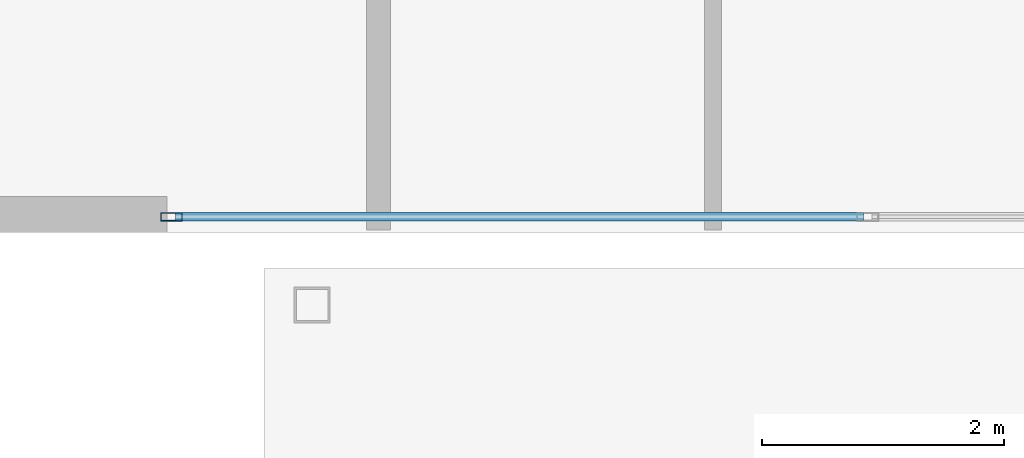
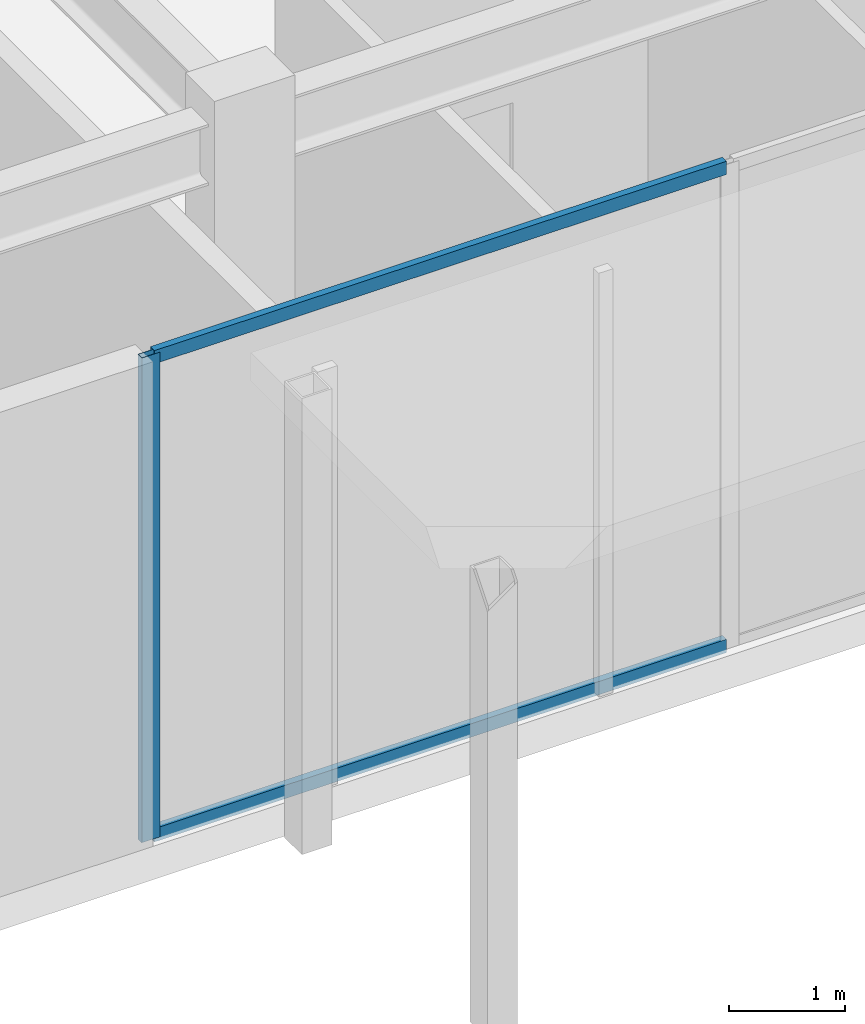
# One storey, part 10 of 28: 3 members, 1 element without a shape of its own.
"""IFC4 building model written with IfcOpenShell, lengths in metres."""

import ifcopenshell
import ifcopenshell.guid

model = None  # the IFC model being written
_history = None  # IfcOwnerHistory: only IFC2X3 demands one
_inside = {}  # id of a spatial element -> (the spatial element, [elements in it])
_under = {}  # id of a project, library or spatial element -> (it, [spatial elements below it])
_declared = {}  # id of a project -> (the project, [libraries it declares])
_typed = {}  # id of a type object -> (the type object, [elements of that type])
_made_of = {}  # id of a material, layer set ... -> (it, [elements and type objects made of it])


def new_model(schema):
    """Start an empty IFC model of exactly this schema.

    Asked for "IFC4X3", IfcOpenShell would pick the latest addendum, in which some entities
    have other attributes; the version numbers below select the first issue.
    IFC2X3 requires an IfcOwnerHistory on every rooted entity: one is made here for all.
    """
    global model, _history
    if schema == "IFC4X3":
        model = ifcopenshell.file(schema_version=(4, 3, 0, 0))
    else:
        model = ifcopenshell.file(schema=schema)
    _inside.clear()
    _under.clear()
    _declared.clear()
    _typed.clear()
    _made_of.clear()
    _history = None
    if model.schema == "IFC2X3":
        org = make("IfcOrganization", Name="unknown")
        user = make(
            "IfcPersonAndOrganization",
            ThePerson=make("IfcPerson", FamilyName="unknown"),
            TheOrganization=org,
        )
        app = make(
            "IfcApplication",
            ApplicationDeveloper=org,
            Version="unknown",
            ApplicationFullName="unknown",
            ApplicationIdentifier="unknown",
        )
        _history = make(
            "IfcOwnerHistory",
            OwningUser=user,
            OwningApplication=app,
            ChangeAction="ADDED",
            CreationDate=0,
        )
    return model


def make(cls, **values):
    """One entity of the class cls with the attributes given. An attribute that is None is left unset."""
    return model.create_entity(
        cls, **{name: value for name, value in values.items() if value is not None}
    )


def rooted(cls, **values):
    """An entity with a GlobalId (a new one), such as an element, a storey or a relation."""
    return make(cls, GlobalId=ifcopenshell.guid.new(), OwnerHistory=_history, **values)


def si_unit(unit_type, name, prefix=None):
    """IfcSIUnit, for example si_unit("LENGTHUNIT", "METRE", prefix="MILLI")."""
    return make("IfcSIUnit", UnitType=unit_type, Prefix=prefix, Name=name)


def assignment(units):
    """IfcUnitAssignment: the units of a project."""
    return None if units is None else make("IfcUnitAssignment", Units=units)


def point(xyz):
    """IfcCartesianPoint."""
    return None if xyz is None else make("IfcCartesianPoint", Coordinates=xyz)


def direction(xyz):
    """IfcDirection."""
    return None if xyz is None else make("IfcDirection", DirectionRatios=xyz)


def frame(location, z_axis=None, x_axis=None):
    """IfcAxis2Placement3D, a coordinate frame: its origin and axes. An axis left out is left unset."""
    return make(
        "IfcAxis2Placement3D",
        Location=point(location),
        Axis=direction(z_axis),
        RefDirection=direction(x_axis),
    )


def frame_2d(location, x_axis=None):
    """IfcAxis2Placement2D, a coordinate frame in the plane: its origin and x axis."""
    return make(
        "IfcAxis2Placement2D", Location=point(location), RefDirection=direction(x_axis)
    )


def origin():
    """The frame at (0, 0, 0) with its axes left unset."""
    return frame((0.0, 0.0, 0.0))


def origin_2d():
    """The frame at (0, 0) in the plane with its x axis left unset."""
    return frame_2d((0.0, 0.0))


def place(relative_to, where):
    """IfcLocalPlacement: puts the frame where relative to a parent placement (None: the world)."""
    return make(
        "IfcLocalPlacement", PlacementRelTo=relative_to, RelativePlacement=where
    )


def context(
    kind, dimensions, precision=None, world=None, true_north=None, identifier=None
):
    """IfcGeometricRepresentationContext, for example the 3D "Model" context."""
    return make(
        "IfcGeometricRepresentationContext",
        ContextIdentifier=identifier,
        ContextType=kind,
        CoordinateSpaceDimension=dimensions,
        Precision=precision,
        WorldCoordinateSystem=world,
        TrueNorth=true_north,
    )


def subcontext(parent, identifier, kind, view, scale=None):
    """IfcGeometricRepresentationSubContext, for example "Body" below "Model"."""
    return make(
        "IfcGeometricRepresentationSubContext",
        ContextIdentifier=identifier,
        ContextType=kind,
        ParentContext=parent,
        TargetScale=scale,
        TargetView=view,
    )


def project(units=None, contexts=None):
    """IfcProject with its units and contexts."""
    return rooted(
        "IfcProject",
        Name="project",
        RepresentationContexts=contexts,
        UnitsInContext=assignment(units),
    )


def spatial(cls, under=None, at=None, **own):
    """A site, building, storey or space (cls), placed at a placement, below another one or the project."""
    s = rooted(cls, ObjectPlacement=at, **own)
    if under is not None:
        _under.setdefault(under.id(), (under, []))[1].append(s)
    return s


def profile(cls, at=None, kind="AREA", **sizes):
    """A parametric profile (cls). Its sizes go by their IFC names, for example OverallWidth=200.0."""
    return make(cls, ProfileType=kind, Position=at, **sizes)


def hollow_rectangle(**sizes):
    """IfcRectangleHollowProfileDef."""
    return profile("IfcRectangleHollowProfileDef", **sizes)


def extrude(swept, where, along, depth):
    """IfcExtrudedAreaSolid: the profile swept, set in the frame where, extruded along a direction by depth."""
    return make(
        "IfcExtrudedAreaSolid",
        SweptArea=swept,
        Position=where,
        ExtrudedDirection=direction(along),
        Depth=depth,
    )


def shape(context_of_items, identifier, shape_type, items):
    """IfcShapeRepresentation: the items that make up one representation, for example the "Body"."""
    return make(
        "IfcShapeRepresentation",
        ContextOfItems=context_of_items,
        RepresentationIdentifier=identifier,
        RepresentationType=shape_type,
        Items=items,
    )


def source(mapping_origin, context_of_items, identifier, shape_type, items):
    """IfcRepresentationMap: a shape defined once, which mapped items show again and again."""
    return make(
        "IfcRepresentationMap",
        MappingOrigin=mapping_origin,
        MappedRepresentation=shape(context_of_items, identifier, shape_type, items),
    )


def transform(
    local_origin,
    x_axis=None,
    y_axis=None,
    z_axis=None,
    scale=None,
    scale2=None,
    scale3=None,
    uniform=True,
):
    """IfcCartesianTransformationOperator3D, or its non-uniform kind. x_axis, y_axis, z_axis: its Axis1, 2, 3."""
    if uniform:
        return make(
            "IfcCartesianTransformationOperator3D",
            Axis1=direction(x_axis),
            Axis2=direction(y_axis),
            LocalOrigin=point(local_origin),
            Scale=scale,
            Axis3=direction(z_axis),
        )
    return make(
        "IfcCartesianTransformationOperator3DnonUniform",
        Axis1=direction(x_axis),
        Axis2=direction(y_axis),
        LocalOrigin=point(local_origin),
        Scale=scale,
        Axis3=direction(z_axis),
        Scale2=scale2,
        Scale3=scale3,
    )


def mapped(mapping_source, mapping_target):
    """IfcMappedItem: shows the shape of a source again, moved by a transform."""
    return make(
        "IfcMappedItem", MappingSource=mapping_source, MappingTarget=mapping_target
    )


def material(Name=None, Category=None):
    """IfcMaterial."""
    return make("IfcMaterial", Name=Name, Category=Category)


def material_profile(
    of_material, cross_section, Name=None, Category=None, Priority=None
):
    """IfcMaterialProfile: a cross section and its material."""
    return make(
        "IfcMaterialProfile",
        Name=Name,
        Material=of_material,
        Profile=cross_section,
        Priority=Priority,
        Category=Category,
    )


def profile_set(profiles, Name=None, composite=None):
    """IfcMaterialProfileSet."""
    return make(
        "IfcMaterialProfileSet",
        Name=Name,
        MaterialProfiles=profiles,
        CompositeProfile=composite,
    )


def made_of(thing, what):
    """Note that an element or type object is made of a material, layer set ...; save() writes the relation."""
    if what is not None:
        _made_of.setdefault(what.id(), (what, []))[1].append(thing)
    return thing


def type_object(cls, material=None, **own):
    """A type object (cls), such as IfcWallType, which elements share."""
    return made_of(rooted(cls, **own), material)


def type_shapes(of_type, sources):
    """Give a type object the sources (RepresentationMaps) that its elements show as mapped items."""
    of_type.RepresentationMaps = sources


def element(
    cls,
    number,
    at=None,
    inside=None,
    cuts=None,
    type_object=None,
    material=None,
    context=None,
    identifier="Body",
    shape_type=None,
    held_by="IfcProductDefinitionShape",
    body=None,
    shapes=None,
    **own,
):
    """One element of the class cls, such as IfcWall. Its Tag is "e" and its number.

    at: its placement. inside: the storey or other place that contains it. cuts: it is an
    opening in that element (IfcRelVoidsElement). A single representation is given by context,
    identifier, shape_type and body (its items); several are given by shapes. held_by: the class
    of the entity that holds the representations. save() writes the other relations.
    """
    e = rooted(cls, Tag="e%d" % number, ObjectPlacement=at, **own)
    if body is not None:
        shapes = [shape(context, identifier, shape_type, body)]
    if shapes is not None:
        e.Representation = make(held_by, Representations=shapes)
    if inside is not None:
        _inside.setdefault(inside.id(), (inside, []))[1].append(e)
    if cuts is not None:
        rooted(
            "IfcRelVoidsElement", RelatingBuildingElement=cuts, RelatedOpeningElement=e
        )
    if type_object is not None:
        _typed.setdefault(type_object.id(), (type_object, []))[1].append(e)
    return made_of(e, material)


def aggregate(whole, parts):
    """IfcRelAggregates: a whole, such as a stair, and the parts it consists of."""
    return rooted("IfcRelAggregates", RelatingObject=whole, RelatedObjects=parts)


def save(model, path):
    """Write the relations noted so far, then the file.

    IfcRelAggregates (storeys below a building ...), IfcRelContainedInSpatialStructure (elements
    in a storey), IfcRelDefinesByType, IfcRelAssociatesMaterial and IfcRelDeclares: one each for
    every whole, place, type object, material and project.
    """
    for whole, parts in _under.values():
        aggregate(whole, parts)
    for where, things in _inside.values():
        rooted(
            "IfcRelContainedInSpatialStructure",
            RelatedElements=things,
            RelatingStructure=where,
        )
    for kind, things in _typed.values():
        rooted("IfcRelDefinesByType", RelatedObjects=things, RelatingType=kind)
    for what, things in _made_of.values():
        rooted("IfcRelAssociatesMaterial", RelatedObjects=things, RelatingMaterial=what)
    for by, libraries in _declared.values():
        rooted("IfcRelDeclares", RelatingContext=by, RelatedDefinitions=libraries)
    model.write(path)


model = new_model("IFC4")

# Units and contexts
model_context = context("Model", 3, precision=1e-05, world=origin(), true_north=direction((0.0, 1.0)))
body_context = subcontext(model_context, "Body", "Model", "MODEL_VIEW")
ifc_project = project(units=[si_unit("LENGTHUNIT", "METRE"), si_unit("AREAUNIT", "SQUARE_METRE"), si_unit("VOLUMEUNIT", "CUBIC_METRE"), si_unit("PLANEANGLEUNIT", "RADIAN"), si_unit("MASSUNIT", "GRAM", prefix="KILO")], contexts=[model_context])

# Site, building, storey
site_placement = place(None, origin())
site = spatial("IfcSite", under=ifc_project, at=site_placement, CompositionType="ELEMENT")
building_placement = place(site_placement, origin())
building = spatial("IfcBuilding", under=site, at=building_placement, Name="Krantzveldt Concourse Tower", CompositionType="ELEMENT")
storey_placement = place(building_placement, origin())
storey = spatial("IfcBuildingStorey", under=building, at=storey_placement, Name="L00", CompositionType="ELEMENT", Elevation=0.0)

# Curtain wall, members
ifc_material = material(Name="Anodised aluminium 6063-T6", Category="aluminium")
curtain_wall_type = type_object("IfcCurtainWallType", Name="CW1", PredefinedType="USERDEFINED", material=ifc_material)
curtain_wall_placement = place(storey_placement, origin())
curtain_wall = element("IfcCurtainWall", 1, at=curtain_wall_placement, inside=storey, type_object=curtain_wall_type, Name="CW-L00-SC2", ObjectType="UNITISED CURTAIN WALL", PredefinedType="USERDEFINED")
ifc_material_profile_1 = material_profile(ifc_material, hollow_rectangle(XDim=0.070068359375, YDim=0.179931640625, WallThickness=0.0048828125, at=origin_2d()), Name="Anodised aluminium 6063-T6", Category="aluminium")
ifc_profile_set_1 = profile_set([ifc_material_profile_1], Name="Anodised aluminium 6063-T6 - ALU-MULL 180x70x5")
member_type_1 = type_object("IfcMemberType", Name="CW-MUL-180", PredefinedType="MULLION", material=ifc_profile_set_1)
shared_shape_1 = source(origin(), body_context, "Body", "SweptSolid", [
    extrude(hollow_rectangle(XDim=0.070068359375, YDim=0.179931640625, WallThickness=0.0048828125, at=origin_2d()), origin(), (0.0, 0.0, 1.0), 5.10009765625),
])
type_shapes(member_type_1, [shared_shape_1])
member_1_placement = place(storey_placement, frame((44.235107421875, 0.429931640625, 0.0), z_axis=(0.0, 0.0, 1.0), x_axis=(0.0, 1.0, 0.0)))
member_1 = element("IfcMember", 2, at=member_1_placement, type_object=member_type_1, Name="CW-POD mullion 1", PredefinedType="MULLION", context=body_context, shape_type="MappedRepresentation", body=[
    mapped(shared_shape_1, transform((0.0, 0.0, 0.0), x_axis=(1.0, 0.0, 0.0), y_axis=(0.0, 1.0, 0.0), z_axis=(0.0, 0.0, 1.0), scale=1.0)),
])
ifc_material_profile_2 = material_profile(ifc_material, hollow_rectangle(XDim=0.070068359375, YDim=0.139892578125, WallThickness=0.0048828125, at=origin_2d()), Name="Anodised aluminium 6063-T6", Category="aluminium")
ifc_profile_set_2 = profile_set([ifc_material_profile_2], Name="Anodised aluminium 6063-T6 - ALU-TRAN 140x70x5")
member_type_2 = type_object("IfcMemberType", Name="CW-TRN-150", PredefinedType="USERDEFINED", material=ifc_profile_set_2)
shared_shape_2 = source(origin(), body_context, "Body", "SweptSolid", [
    extrude(hollow_rectangle(XDim=0.070068359375, YDim=0.139892578125, WallThickness=0.0048828125, at=origin_2d()), origin(), (0.0, 0.0, 1.0), 5.695068359375),
])
type_shapes(member_type_2, [shared_shape_2])
member_2_placement = place(storey_placement, frame((44.27001953125, 0.429931640625, 0.034912109375), z_axis=(1.0, 0.0, 0.0), x_axis=(0.0, 1.0, 0.0)))
member_2 = element("IfcMember", 3, at=member_2_placement, type_object=member_type_2, Name="CW-POD transom 1.1", ObjectType="TRANSOM", PredefinedType="USERDEFINED", context=body_context, shape_type="MappedRepresentation", body=[
    mapped(shared_shape_2, transform((0.0, 0.0, 0.0), x_axis=(1.0, 0.0, 0.0), y_axis=(0.0, 1.0, 0.0), z_axis=(0.0, 0.0, 1.0), scale=1.0)),
])
member_3_placement = place(storey_placement, frame((44.27001953125, 0.429931640625, 5.06494140625), z_axis=(1.0, 0.0, 0.0), x_axis=(0.0, 1.0, 0.0)))
member_3 = element("IfcMember", 4, at=member_3_placement, type_object=member_type_2, Name="CW-POD transom 1.2", ObjectType="TRANSOM", PredefinedType="USERDEFINED", context=body_context, shape_type="MappedRepresentation", body=[
    mapped(shared_shape_2, transform((0.0, 0.0, 0.0), x_axis=(1.0, 0.0, 0.0), y_axis=(0.0, 1.0, 0.0), z_axis=(0.0, 0.0, 1.0), scale=1.0)),
])
aggregate(curtain_wall, [member_1, member_2, member_3])

save(model, "model.ifc")
